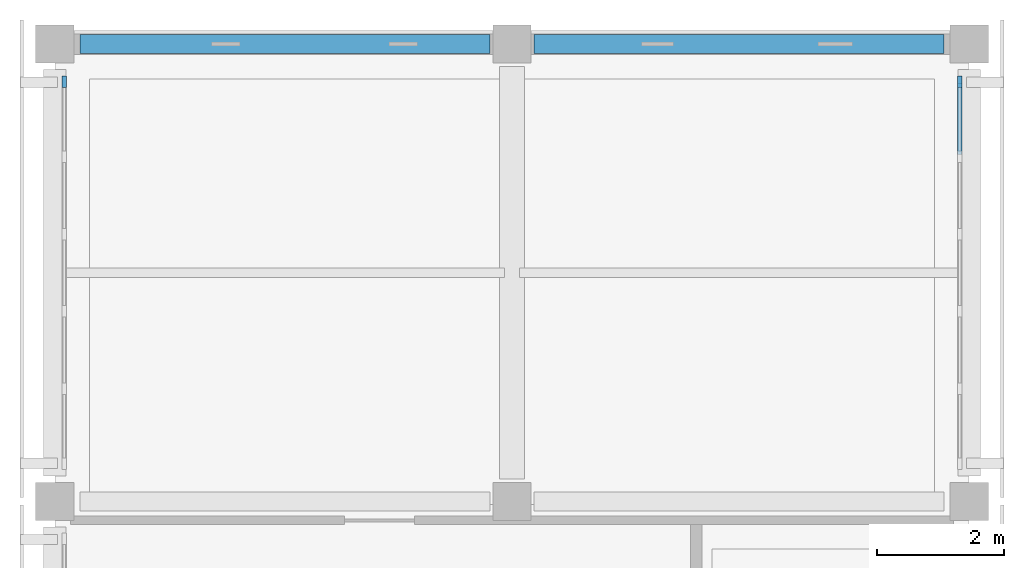
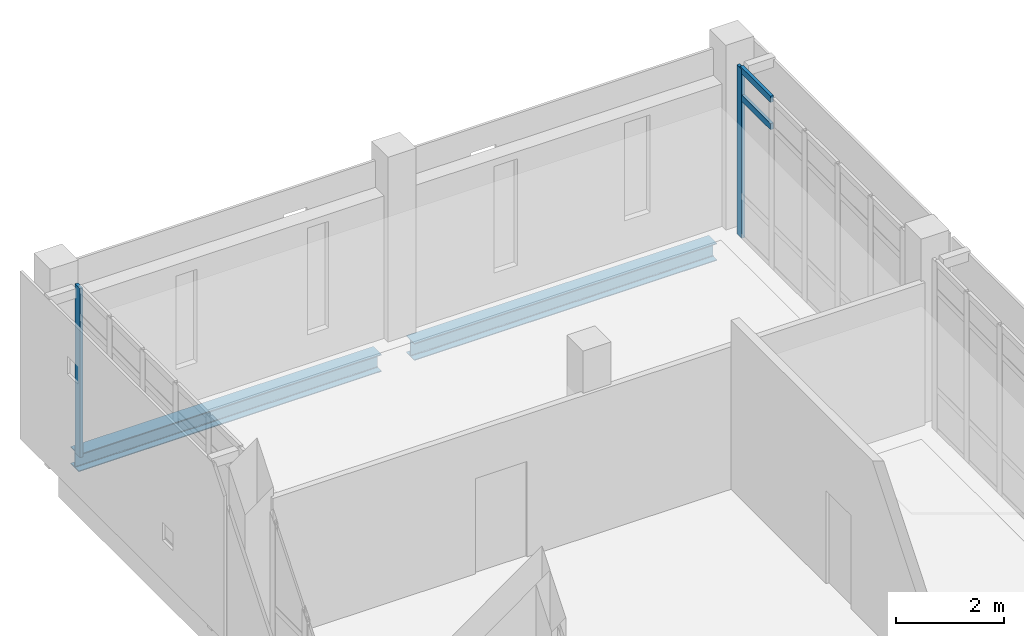
# One storey, part 10 of 21: 4 members, 2 beams, 2 elements without a shape of their own.
"""IFC4 building model written with IfcOpenShell, lengths in metres."""

from ifc_helpers import new_model, si_unit, direction, frame, origin, origin_2d, place, context, subcontext, project, spatial, rectangle, i_section, extrude, material, layer, layer_set, material_profile, profile_set, type_object, element, aggregate, save


model = new_model("IFC4")

# Units and contexts
model_context = context("Model", 3, precision=1e-05, world=origin(), true_north=direction((0.0, 1.0)))
body_context = subcontext(model_context, "Body", "Model", "MODEL_VIEW")
ifc_project = project(units=[si_unit("LENGTHUNIT", "METRE"), si_unit("AREAUNIT", "SQUARE_METRE"), si_unit("VOLUMEUNIT", "CUBIC_METRE"), si_unit("PLANEANGLEUNIT", "RADIAN"), si_unit("MASSUNIT", "GRAM", prefix="KILO")], contexts=[model_context])

# Site, building, storey
site_placement = place(None, origin())
site = spatial("IfcSite", under=ifc_project, at=site_placement, CompositionType="ELEMENT")
building_placement = place(site_placement, origin())
building = spatial("IfcBuilding", under=site, at=building_placement, Name="Valkovuoma Quantum and Materials Research Institute", CompositionType="ELEMENT")
storey_placement = place(building_placement, frame((0.0, 0.0, 29.760009765625)))
storey = spatial("IfcBuildingStorey", under=building, at=storey_placement, Name="L07", CompositionType="ELEMENT", Elevation=29.760009765625)

# Beams
ifc_material_1 = material(Name="Steel S355J2", Category="steel")
ifc_material_profile_1 = material_profile(ifc_material_1, i_section(OverallWidth=0.300048828125, OverallDepth=0.389892578125, WebThickness=0.010986328125, FlangeThickness=0.01904296875, FilletRadius=0.027099609375, at=origin_2d()), Name="Steel S355J2")
ifc_profile_set_1 = profile_set([ifc_material_profile_1], Name="Steel S355J2")
beam_type = type_object("IfcBeamType", Name="Beam-B-HEA400", PredefinedType="SPANDREL", material=ifc_profile_set_1)
beam_1_placement = place(storey_placement, frame((0.39990234375, 93.60009765625, -0.544921875), z_axis=(1.0, 0.0, 0.0), x_axis=(0.0, 1.0, 0.0)))
element("IfcBeam", 1, at=beam_1_placement, inside=storey, type_object=beam_type, Name="L07 beam X-2506", PredefinedType="SPANDREL", context=body_context, shape_type="SweptSolid", body=[
    extrude(i_section(OverallWidth=0.300048828125, OverallDepth=0.389892578125, WebThickness=0.010986328125, FlangeThickness=0.01904296875, FilletRadius=0.027099609375, at=origin_2d()), origin(), (0.0, 0.0, 1.0), 6.4501953125),
])
beam_2_placement = place(storey_placement, frame((7.550048828125, 93.60009765625, -0.544921875), z_axis=(1.0, 0.0, 0.0), x_axis=(0.0, 1.0, 0.0)))
element("IfcBeam", 2, at=beam_2_placement, inside=storey, type_object=beam_type, Name="L07 beam X-2507", PredefinedType="SPANDREL", context=body_context, shape_type="SweptSolid", body=[
    extrude(i_section(OverallWidth=0.300048828125, OverallDepth=0.389892578125, WebThickness=0.010986328125, FlangeThickness=0.01904296875, FilletRadius=0.027099609375, at=origin_2d()), origin(), (0.0, 0.0, 1.0), 6.449951171875),
])

# Curtain wall, member
ifc_material_2 = material(Name="Thermally broken aluminium and triple low-E glazing", Category="aluminium")
ifc_layer = layer(ifc_material_2, 0.219970703125)
ifc_layer_set = layer_set([ifc_layer], Name="Thermally broken aluminium and triple low-E glazing")
curtain_wall_type = type_object("IfcCurtainWallType", Name="CW-CW-01", PredefinedType="NOTDEFINED", material=ifc_layer_set)
curtain_wall_1_placement = place(storey_placement, origin())
curtain_wall_1 = element("IfcCurtainWall", 3, at=curtain_wall_1_placement, inside=storey, type_object=curtain_wall_type, Name="L07 curtain wall 107", PredefinedType="NOTDEFINED")
ifc_material_3 = material(Name="Anodised aluminium 6060-T66", Category="aluminium")
ifc_material_profile_2 = material_profile(ifc_material_3, rectangle(XDim=0.06494140625, YDim=0.179931640625, at=origin_2d()), Name="Anodised aluminium 6060-T66")
ifc_profile_set_2 = profile_set([ifc_material_profile_2], Name="Anodised aluminium 6060-T66")
member_type_1 = type_object("IfcMemberType", Name="CWMull-CWM-01", PredefinedType="MULLION", material=ifc_profile_set_2)
member_1_placement = place(storey_placement, frame((0.14990234375, 93.010498046875, 0.0), z_axis=(0.0, 0.0, 1.0), x_axis=(-1.0, 0.0, 0.0)))
member_1 = element("IfcMember", 4, at=member_1_placement, type_object=member_type_1, Name="CW-01 mullion 6", PredefinedType="MULLION", context=body_context, shape_type="SweptSolid", body=[
    extrude(rectangle(XDim=0.06494140625, YDim=0.179931640625, at=origin_2d()), origin(), (0.0, 0.0, 1.0), 3.81005859375),
])
aggregate(curtain_wall_1, [member_1])

# Curtain wall, members
curtain_wall_2_placement = place(storey_placement, origin())
curtain_wall_2 = element("IfcCurtainWall", 5, at=curtain_wall_2_placement, inside=storey, type_object=curtain_wall_type, Name="L07 curtain wall 108", PredefinedType="NOTDEFINED")
member_2_placement = place(storey_placement, frame((14.25, 93.010498046875, 0.0), z_axis=(0.0, 0.0, 1.0), x_axis=(-1.0, 0.0, 0.0)))
member_2 = element("IfcMember", 6, at=member_2_placement, type_object=member_type_1, Name="CW-01 mullion 6", PredefinedType="MULLION", context=body_context, shape_type="SweptSolid", body=[
    extrude(rectangle(XDim=0.06494140625, YDim=0.179931640625, at=origin_2d()), origin(), (0.0, 0.0, 1.0), 3.81005859375),
])
ifc_material_4 = material(Name="Anodised aluminium 6060-T66", Category="aluminium")
ifc_material_profile_3 = material_profile(ifc_material_4, rectangle(XDim=0.06494140625, YDim=0.139892578125, at=origin_2d()), Name="Anodised aluminium 6060-T66")
ifc_profile_set_3 = profile_set([ifc_material_profile_3], Name="Anodised aluminium 6060-T66")
member_type_2 = type_object("IfcMemberType", Name="CWTran-CWT-01", PredefinedType="USERDEFINED", material=ifc_profile_set_3)
member_3_placement = place(storey_placement, frame((14.25, 91.858154296875, 3.159912109375), z_axis=(0.0, 1.0, 0.0), x_axis=(-1.0, 0.0, 0.0)))
member_3 = element("IfcMember", 7, at=member_3_placement, type_object=member_type_2, Name="CW-01 transom 5.3", ObjectType="TRANSOM", PredefinedType="USERDEFINED", context=body_context, shape_type="SweptSolid", body=[
    extrude(rectangle(XDim=0.06494140625, YDim=0.139892578125, at=origin_2d()), origin(), (0.0, 0.0, 1.0), 1.11962890625),
])
member_4_placement = place(storey_placement, frame((14.25, 91.858154296875, 3.777587890625), z_axis=(0.0, 1.0, 0.0), x_axis=(-1.0, 0.0, 0.0)))
member_4 = element("IfcMember", 8, at=member_4_placement, type_object=member_type_2, Name="CW-01 transom 5.4", ObjectType="TRANSOM", PredefinedType="USERDEFINED", context=body_context, shape_type="SweptSolid", body=[
    extrude(rectangle(XDim=0.06494140625, YDim=0.139892578125, at=origin_2d()), origin(), (0.0, 0.0, 1.0), 1.11962890625),
])
aggregate(curtain_wall_2, [member_2, member_3, member_4])

save(model, "model.ifc")
